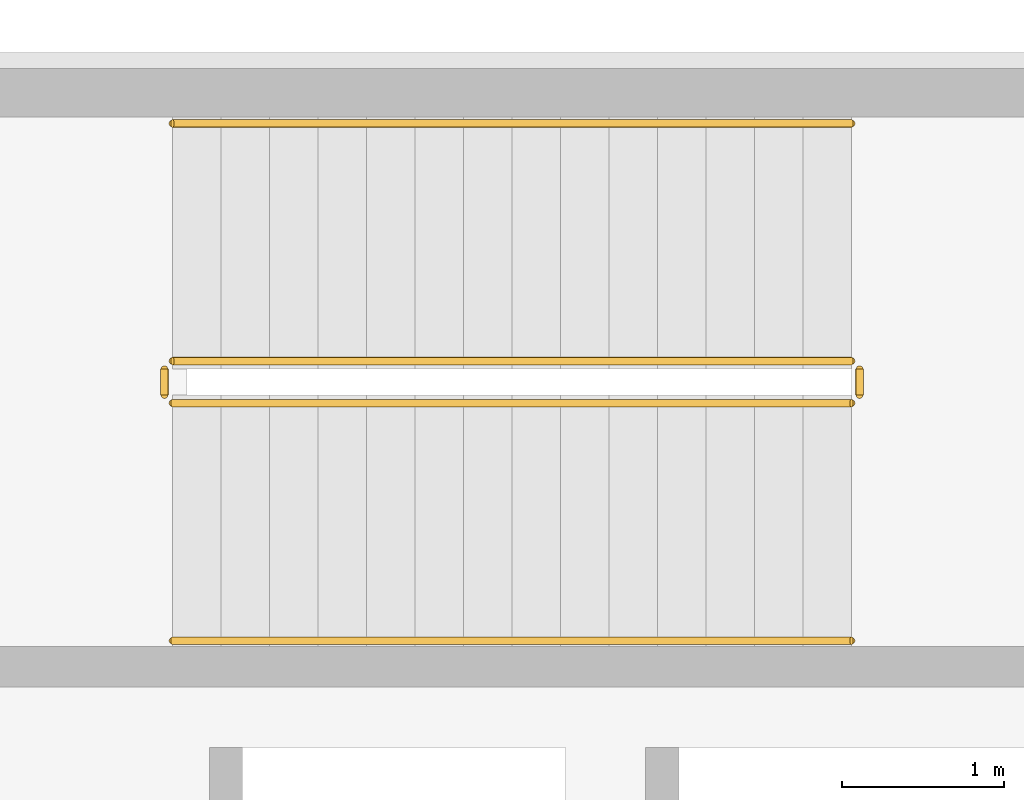
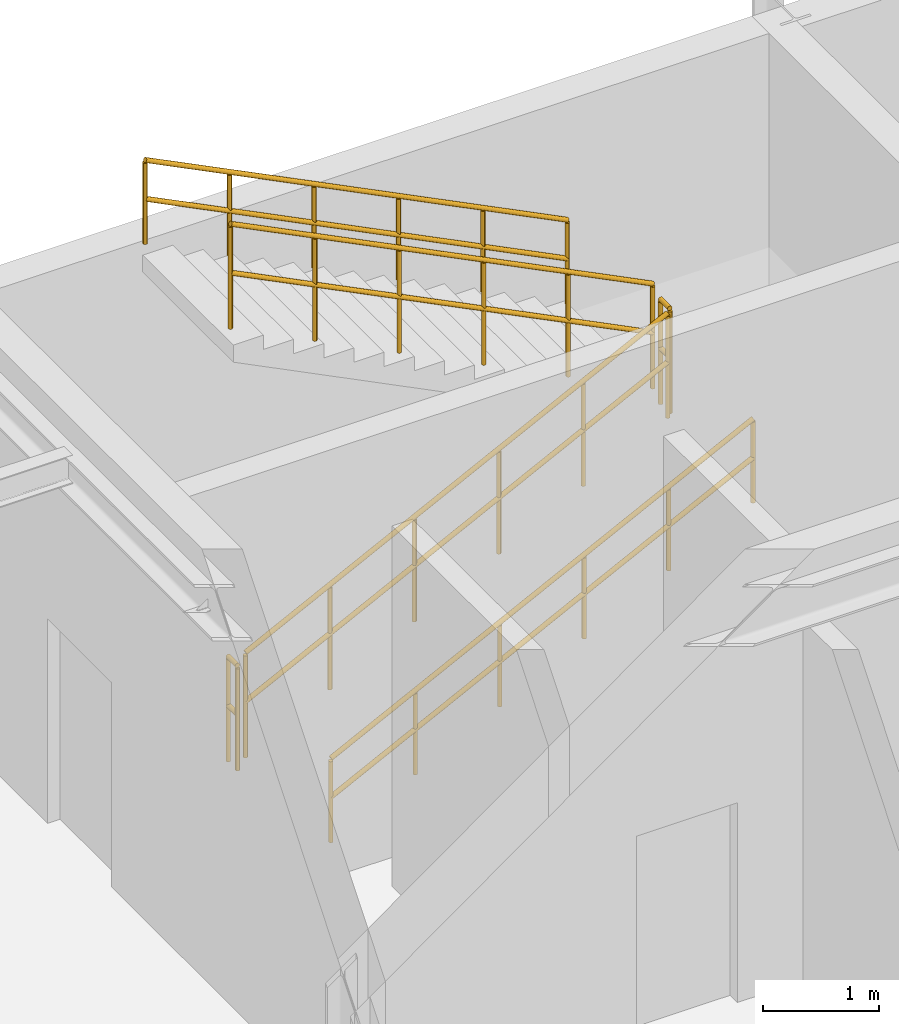
# One storey, part 101 of 106: 6 railings.
"""IFC4 building model written with IfcOpenShell, lengths in metres."""

from ifc_helpers import new_model, si_unit, derived_unit, direction, frame, origin, origin_2d, place, context, subcontext, project, spatial, circle, extrude, material, type_object, element, save


model = new_model("IFC4")

# Units and contexts
model_context = context("Model", 3, precision=1e-05, world=origin(), true_north=direction((0.0, 1.0)))
body_context = subcontext(model_context, "Body", "Model", "MODEL_VIEW")
ifc_project = project(units=[si_unit("LENGTHUNIT", "METRE"), si_unit("AREAUNIT", "SQUARE_METRE"), si_unit("VOLUMEUNIT", "CUBIC_METRE"), si_unit("PLANEANGLEUNIT", "RADIAN"), si_unit("MASSUNIT", "GRAM", prefix="KILO"), derived_unit("THERMALTRANSMITTANCEUNIT", [(si_unit("POWERUNIT", "WATT"), 1), (si_unit("AREAUNIT", "SQUARE_METRE"), -1), (si_unit("THERMODYNAMICTEMPERATUREUNIT", "KELVIN"), -1)])], contexts=[model_context])

# Site, building, storey
site_placement = place(None, origin())
site = spatial("IfcSite", under=ifc_project, at=site_placement, CompositionType="ELEMENT")
building_placement = place(site_placement, origin())
building = spatial("IfcBuilding", under=site, at=building_placement, Name="Yasenodar Specialist Clinic", CompositionType="ELEMENT")
storey_placement = place(building_placement, frame((0.0, 0.0, 4.5)))
storey = spatial("IfcBuildingStorey", under=building, at=storey_placement, Name="L01", CompositionType="ELEMENT", Elevation=4.5)

# Railings
ifc_material_1 = material(Name="Steel S355 Painted Stair Guardrail", Category="steel")
railing_type_1 = type_object("IfcRailingType", Name="RL-ST-GRD", PredefinedType="GUARDRAIL", material=ifc_material_1)
railing_1_placement = place(storey_placement, frame((58.8701171875, 109.530029296875, 0.14990234375)))
element("IfcRailing", 1, at=railing_1_placement, inside=storey, type_object=railing_type_1, Name="L01 ST-04 stair guard 1", PredefinedType="GUARDRAIL", context=body_context, shape_type="SweptSolid", body=[
    extrude(circle(Radius=0.02392578125, at=origin_2d()), frame((0.0, 0.0, 1.09619140625), z_axis=(0.894416792377, 0.0, 0.447234392142), x_axis=(0.0, 1.0, 0.0)), (0.0, 0.0, 1.0), 4.69580078125),
    extrude(circle(Radius=0.02392578125, at=origin_2d()), frame((0.0, 0.0, 0.58251953125), z_axis=(0.894416792377, 0.0, 0.447234392142), x_axis=(0.0, 1.0, 0.0)), (0.0, 0.0, 1.0), 4.69580078125),
    extrude(circle(Radius=0.02099609375, at=origin_2d()), origin(), (0.0, 0.0, 1.0), 1.072021484375),
    extrude(circle(Radius=0.02099609375, at=origin_2d()), frame((0.840087890625, 0.0, 0.419921875)), (0.0, 0.0, 1.0), 1.072021484375),
    extrude(circle(Radius=0.02099609375, at=origin_2d()), frame((1.679931640625, 0.0, 0.840087890625)), (0.0, 0.0, 1.0), 1.072021484375),
    extrude(circle(Radius=0.02099609375, at=origin_2d()), frame((2.52001953125, 0.0, 1.260009765625)), (0.0, 0.0, 1.0), 1.072021484375),
    extrude(circle(Radius=0.02099609375, at=origin_2d()), frame((3.35986328125, 0.0, 1.68017578125)), (0.0, 0.0, 1.0), 1.072021484375),
    extrude(circle(Radius=0.02099609375, at=origin_2d()), frame((4.199951171875, 0.0, 2.10009765625)), (0.0, 0.0, 1.0), 1.072021484375),
])
railing_2_placement = place(storey_placement, frame((63.1201171875, 109.580078125, 2.25)))
element("IfcRailing", 2, at=railing_2_placement, inside=storey, type_object=railing_type_1, Name="L01 ST-04 stair guard 2", PredefinedType="GUARDRAIL", context=body_context, shape_type="SweptSolid", body=[
    extrude(circle(Radius=0.02392578125, at=origin_2d()), frame((0.0, 0.0, 1.09619140625), z_axis=(0.0, 1.0, 0.0), x_axis=(-1.0, 0.0, 0.0)), (0.0, 0.0, 1.0), 0.159912109375),
    extrude(circle(Radius=0.02392578125, at=origin_2d()), frame((0.0, 0.0, 0.58251953125), z_axis=(0.0, 1.0, 0.0), x_axis=(-1.0, 0.0, 0.0)), (0.0, 0.0, 1.0), 0.159912109375),
    extrude(circle(Radius=0.02099609375, at=origin_2d()), origin(), (0.0, 0.0, 1.0), 1.072021484375),
    extrude(circle(Radius=0.02099609375, at=origin_2d()), frame((0.0, 0.159912109375, 0.0)), (0.0, 0.0, 1.0), 1.072021484375),
])
railing_3_placement = place(storey_placement, frame((63.070068359375, 109.7900390625, 2.39990234375)))
element("IfcRailing", 3, at=railing_3_placement, inside=storey, type_object=railing_type_1, Name="L01 ST-04 stair guard 3", PredefinedType="GUARDRAIL", context=body_context, shape_type="SweptSolid", body=[
    extrude(circle(Radius=0.02392578125, at=origin_2d()), frame((0.0, 0.0, 1.09619140625), z_axis=(-0.894416792377, 0.0, 0.447234392142), x_axis=(0.0, -1.0, 0.0)), (0.0, 0.0, 1.0), 4.69580078125),
    extrude(circle(Radius=0.02392578125, at=origin_2d()), frame((0.0, 0.0, 0.58251953125), z_axis=(-0.894416792377, 0.0, 0.447234392142), x_axis=(0.0, -1.0, 0.0)), (0.0, 0.0, 1.0), 4.69580078125),
    extrude(circle(Radius=0.02099609375, at=origin_2d()), origin(), (0.0, 0.0, 1.0), 1.072021484375),
    extrude(circle(Radius=0.02099609375, at=origin_2d()), frame((-0.840087890625, 0.0, 0.419921875)), (0.0, 0.0, 1.0), 1.072021484375),
    extrude(circle(Radius=0.02099609375, at=origin_2d()), frame((-1.679931640625, 0.0, 0.840087890625)), (0.0, 0.0, 1.0), 1.072021484375),
    extrude(circle(Radius=0.02099609375, at=origin_2d()), frame((-2.52001953125, 0.0, 1.260009765625)), (0.0, 0.0, 1.0), 1.072021484375),
    extrude(circle(Radius=0.02099609375, at=origin_2d()), frame((-3.35986328125, 0.0, 1.68017578125)), (0.0, 0.0, 1.0), 1.072021484375),
    extrude(circle(Radius=0.02099609375, at=origin_2d()), frame((-4.199951171875, 0.0, 2.10009765625)), (0.0, 0.0, 1.0), 1.072021484375),
])
railing_4_placement = place(storey_placement, frame((58.820068359375, 109.580078125, 0.0)))
element("IfcRailing", 4, at=railing_4_placement, inside=storey, type_object=railing_type_1, Name="L01 ST-04 stair guard 4", PredefinedType="GUARDRAIL", context=body_context, shape_type="SweptSolid", body=[
    extrude(circle(Radius=0.02392578125, at=origin_2d()), frame((0.0, 0.0, 1.09619140625), z_axis=(0.0, 1.0, 0.0), x_axis=(-1.0, 0.0, 0.0)), (0.0, 0.0, 1.0), 0.159912109375),
    extrude(circle(Radius=0.02392578125, at=origin_2d()), frame((0.0, 0.0, 0.58251953125), z_axis=(0.0, 1.0, 0.0), x_axis=(-1.0, 0.0, 0.0)), (0.0, 0.0, 1.0), 0.159912109375),
    extrude(circle(Radius=0.02099609375, at=origin_2d()), origin(), (0.0, 0.0, 1.0), 1.072021484375),
    extrude(circle(Radius=0.02099609375, at=origin_2d()), frame((0.0, 0.159912109375, 0.0)), (0.0, 0.0, 1.0), 1.072021484375),
])
ifc_material_2 = material(Name="Brushed Stainless Steel Handrail", Category="steel")
railing_type_2 = type_object("IfcRailingType", Name="RL-ST-HND", PredefinedType="HANDRAIL", material=ifc_material_2)
railing_5_placement = place(storey_placement, frame((58.8701171875, 108.06005859375, 0.14990234375)))
element("IfcRailing", 5, at=railing_5_placement, inside=storey, type_object=railing_type_2, Name="L01 ST-04 stair handrail 1", PredefinedType="HANDRAIL", context=body_context, shape_type="SweptSolid", body=[
    extrude(circle(Radius=0.02392578125, at=origin_2d()), frame((0.0, 0.0, 0.8759765625), z_axis=(0.894416792377, 0.0, 0.447234392142), x_axis=(0.0, 1.0, 0.0)), (0.0, 0.0, 1.0), 4.69580078125),
    extrude(circle(Radius=0.02392578125, at=origin_2d()), frame((0.0, 0.0, 0.468017578125), z_axis=(0.894416792377, 0.0, 0.447234392142), x_axis=(0.0, 1.0, 0.0)), (0.0, 0.0, 1.0), 4.69580078125),
    extrude(circle(Radius=0.02099609375, at=origin_2d()), origin(), (0.0, 0.0, 1.0), 0.851806640625),
    extrude(circle(Radius=0.02099609375, at=origin_2d()), frame((0.840087890625, 0.0, 0.419921875)), (0.0, 0.0, 1.0), 0.851806640625),
    extrude(circle(Radius=0.02099609375, at=origin_2d()), frame((1.679931640625, 0.0, 0.840087890625)), (0.0, 0.0, 1.0), 0.851806640625),
    extrude(circle(Radius=0.02099609375, at=origin_2d()), frame((2.52001953125, 0.0, 1.260009765625)), (0.0, 0.0, 1.0), 0.851806640625),
    extrude(circle(Radius=0.02099609375, at=origin_2d()), frame((3.35986328125, 0.0, 1.68017578125)), (0.0, 0.0, 1.0), 0.851806640625),
    extrude(circle(Radius=0.02099609375, at=origin_2d()), frame((4.199951171875, 0.0, 2.10009765625)), (0.0, 0.0, 1.0), 0.851806640625),
])
railing_6_placement = place(storey_placement, frame((63.070068359375, 111.260009765625, 2.39990234375)))
element("IfcRailing", 6, at=railing_6_placement, inside=storey, type_object=railing_type_2, Name="L01 ST-04 stair handrail 2", PredefinedType="HANDRAIL", context=body_context, shape_type="SweptSolid", body=[
    extrude(circle(Radius=0.02392578125, at=origin_2d()), frame((0.0, 0.0, 0.8759765625), z_axis=(-0.894416792377, 0.0, 0.447234392142), x_axis=(0.0, -1.0, 0.0)), (0.0, 0.0, 1.0), 4.69580078125),
    extrude(circle(Radius=0.02392578125, at=origin_2d()), frame((0.0, 0.0, 0.468017578125), z_axis=(-0.894416792377, 0.0, 0.447234392142), x_axis=(0.0, -1.0, 0.0)), (0.0, 0.0, 1.0), 4.69580078125),
    extrude(circle(Radius=0.02099609375, at=origin_2d()), origin(), (0.0, 0.0, 1.0), 0.851806640625),
    extrude(circle(Radius=0.02099609375, at=origin_2d()), frame((-0.840087890625, 0.0, 0.419921875)), (0.0, 0.0, 1.0), 0.851806640625),
    extrude(circle(Radius=0.02099609375, at=origin_2d()), frame((-1.679931640625, 0.0, 0.840087890625)), (0.0, 0.0, 1.0), 0.851806640625),
    extrude(circle(Radius=0.02099609375, at=origin_2d()), frame((-2.52001953125, 0.0, 1.260009765625)), (0.0, 0.0, 1.0), 0.851806640625),
    extrude(circle(Radius=0.02099609375, at=origin_2d()), frame((-3.35986328125, 0.0, 1.68017578125)), (0.0, 0.0, 1.0), 0.851806640625),
    extrude(circle(Radius=0.02099609375, at=origin_2d()), frame((-4.199951171875, 0.0, 2.10009765625)), (0.0, 0.0, 1.0), 0.851806640625),
])

save(model, "model.ifc")
